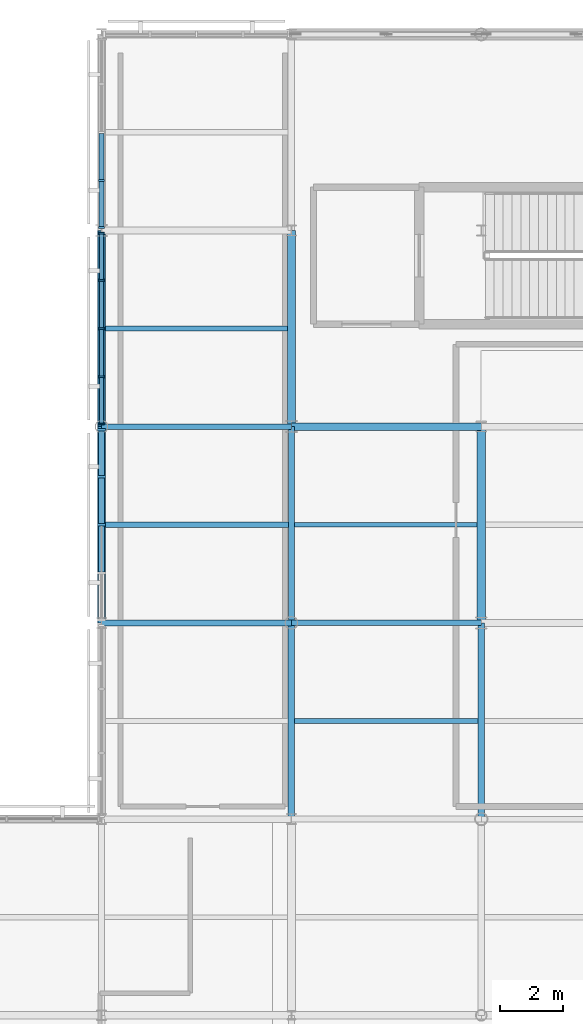
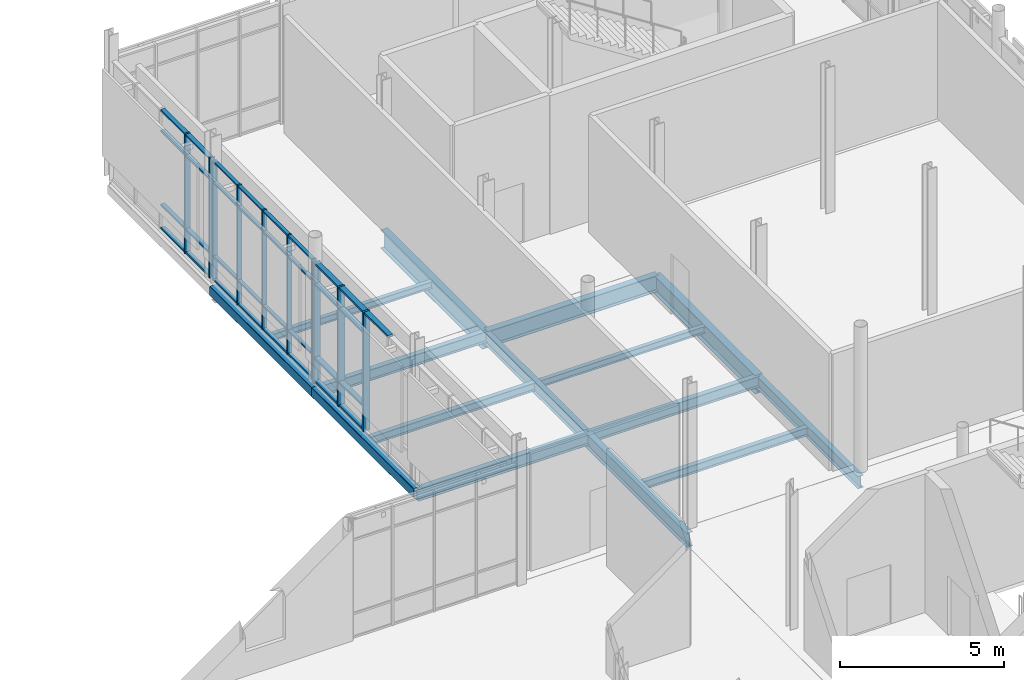
# One storey, part 43 of 105: 43 members, 15 beams, 3 elements without a shape of their own.
"""IFC4 building model written with IfcOpenShell, lengths in metres."""

from ifc_helpers import new_model, si_unit, direction, frame, origin, origin_2d, place, context, subcontext, project, spatial, rectangle, hollow_rectangle, i_section, extrude, material, layer, layer_set, material_profile, profile_set, type_object, element, aggregate, save


model = new_model("IFC4")

# Units and contexts
model_context = context("Model", 3, precision=1e-05, world=origin(), true_north=direction((0.0, 1.0)))
body_context = subcontext(model_context, "Body", "Model", "MODEL_VIEW")
ifc_project = project(units=[si_unit("LENGTHUNIT", "METRE"), si_unit("AREAUNIT", "SQUARE_METRE"), si_unit("VOLUMEUNIT", "CUBIC_METRE"), si_unit("PLANEANGLEUNIT", "RADIAN"), si_unit("MASSUNIT", "GRAM", prefix="KILO")], contexts=[model_context])

# Site, building, storey
site_placement = place(None, origin())
site = spatial("IfcSite", under=ifc_project, at=site_placement, CompositionType="ELEMENT")
building_placement = place(site_placement, origin())
building = spatial("IfcBuilding", under=site, at=building_placement, Name="Mirzam Square Science Centre", CompositionType="ELEMENT")
storey_placement = place(building_placement, frame((0.0, 0.0, 5.39990234375)))
storey = spatial("IfcBuildingStorey", under=building, at=storey_placement, Name="L01", CompositionType="ELEMENT", Elevation=5.39990234375)

# Beams
ifc_material_1 = material(Name="Steel S355", Category="steel")
ifc_material_profile_1 = material_profile(ifc_material_1, i_section(OverallWidth=0.1787109375, OverallDepth=0.409423828125, WebThickness=0.0087890625, FlangeThickness=0.014404296875, FilletRadius=0.01025390625, at=origin_2d()), Name="406x178x67UB")
ifc_profile_set_1 = profile_set([ifc_material_profile_1], Name="Steel S355")
beam_type_1 = type_object("IfcBeamType", Name="BM-UB406", PredefinedType="BEAM", material=ifc_profile_set_1)
for number, where, z_axis, x_axis, name in (
    (1, (120.0, 93.0, -0.45458984375), (1.0, 0.0, 0.0), (0.0, 1.0, 0.0), "L01 girder X21-16"),
    (2, (114.0, 99.199951171875, -0.45458984375), (1.0, 0.0, 0.0), (0.0, 1.0, 0.0), "L01 girder X20-17"),
):
    element("IfcBeam", number, at=place(storey_placement, frame(where, z_axis=z_axis, x_axis=x_axis)), inside=storey, type_object=beam_type_1, Name=name, PredefinedType="BEAM", context=body_context, shape_type="SweptSolid", body=[
        extrude(i_section(OverallWidth=0.1787109375, OverallDepth=0.409423828125, WebThickness=0.0087890625, FlangeThickness=0.014404296875, FilletRadius=0.01025390625, at=origin_2d()), origin(), (0.0, 0.0, 1.0), 6.0),
    ])
ifc_material_profile_2 = material_profile(ifc_material_1, i_section(OverallWidth=0.19140625, OverallDepth=0.4599609375, WebThickness=0.010009765625, FlangeThickness=0.01611328125, FilletRadius=0.01025390625, at=origin_2d()), Name="457x191x82UB")
ifc_profile_set_2 = profile_set([ifc_material_profile_2], Name="Steel S355")
beam_type_2 = type_object("IfcBeamType", Name="BM-UB457", PredefinedType="BEAM", material=ifc_profile_set_2)
beam_1_placement = place(storey_placement, frame((114.0, 93.0, -0.47998046875), z_axis=(1.0, 0.0, 0.0), x_axis=(0.0, 1.0, 0.0)))
element("IfcBeam", 3, at=beam_1_placement, inside=storey, type_object=beam_type_2, Name="L01 girder X20-16", PredefinedType="BEAM", context=body_context, shape_type="SweptSolid", body=[
    extrude(i_section(OverallWidth=0.19140625, OverallDepth=0.4599609375, WebThickness=0.010009765625, FlangeThickness=0.01611328125, FilletRadius=0.01025390625, at=origin_2d()), origin(), (0.0, 0.0, 1.0), 6.0),
])
for number, where, z_axis, x_axis, name in (
    (4, (120.0, 93.0, -0.47998046875), (0.0, 1.0, 0.0), (-1.0, 0.0, 0.0), "L01 girder Y21-16"),
    (5, (126.0, 86.800048828125, -0.47998046875), (0.0, 1.0, 0.0), (-1.0, 0.0, 0.0), "L01 girder Y22-15"),
):
    element("IfcBeam", number, at=place(storey_placement, frame(where, z_axis=z_axis, x_axis=x_axis)), inside=storey, type_object=beam_type_2, Name=name, PredefinedType="BEAM", context=body_context, shape_type="SweptSolid", body=[
        extrude(i_section(OverallWidth=0.19140625, OverallDepth=0.4599609375, WebThickness=0.010009765625, FlangeThickness=0.01611328125, FilletRadius=0.01025390625, at=origin_2d()), origin(), (0.0, 0.0, 1.0), 6.199951171875),
    ])
ifc_material_profile_3 = material_profile(ifc_material_1, i_section(OverallWidth=0.2099609375, OverallDepth=0.53662109375, WebThickness=0.0107421875, FlangeThickness=0.017333984375, FilletRadius=0.0126953125, at=origin_2d()), Name="533x210x101UB")
ifc_profile_set_3 = profile_set([ifc_material_profile_3], Name="Steel S355")
beam_type_3 = type_object("IfcBeamType", Name="BM-UB533", PredefinedType="BEAM", material=ifc_profile_set_3)
beam_2_placement = place(storey_placement, frame((120.0, 86.800048828125, -0.518310546875), z_axis=(0.0, 1.0, 0.0), x_axis=(-1.0, 0.0, 0.0)))
element("IfcBeam", 6, at=beam_2_placement, inside=storey, type_object=beam_type_3, Name="L01 girder Y21-15", PredefinedType="BEAM", context=body_context, shape_type="SweptSolid", body=[
    extrude(i_section(OverallWidth=0.2099609375, OverallDepth=0.53662109375, WebThickness=0.0107421875, FlangeThickness=0.017333984375, FilletRadius=0.0126953125, at=origin_2d()), origin(), (0.0, 0.0, 1.0), 6.199951171875),
])
ifc_material_profile_4 = material_profile(ifc_material_1, i_section(OverallWidth=0.22900390625, OverallDepth=0.6123046875, WebThickness=0.011962890625, FlangeThickness=0.01953125, FilletRadius=0.0126953125, at=origin_2d()), Name="610x229x125UB")
ifc_profile_set_4 = profile_set([ifc_material_profile_4], Name="Steel S355")
beam_type_4 = type_object("IfcBeamType", Name="BM-UB610", PredefinedType="BEAM", material=ifc_profile_set_4)
beam_3_placement = place(storey_placement, frame((120.0, 99.199951171875, -0.555908203125), z_axis=(1.0, 0.0, 0.0), x_axis=(0.0, 1.0, 0.0)))
element("IfcBeam", 7, at=beam_3_placement, inside=storey, type_object=beam_type_4, Name="L01 girder X21-17", PredefinedType="BEAM", context=body_context, shape_type="SweptSolid", body=[
    extrude(i_section(OverallWidth=0.22900390625, OverallDepth=0.6123046875, WebThickness=0.011962890625, FlangeThickness=0.01953125, FilletRadius=0.0126953125, at=origin_2d()), origin(), (0.0, 0.0, 1.0), 6.0),
])
ifc_material_profile_5 = material_profile(ifc_material_1, i_section(OverallWidth=0.25439453125, OverallDepth=0.6875, WebThickness=0.01318359375, FlangeThickness=0.02099609375, FilletRadius=0.01513671875, at=origin_2d()), Name="686x254x152UB")
ifc_profile_set_5 = profile_set([ifc_material_profile_5], Name="Steel S355")
beam_type_5 = type_object("IfcBeamType", Name="BM-UB686", PredefinedType="BEAM", material=ifc_profile_set_5)
for number, where, z_axis, x_axis, name in (
    (8, (120.0, 99.199951171875, -0.593505859375), (0.0, 1.0, 0.0), (-1.0, 0.0, 0.0), "L01 girder Y21-17"),
    (9, (126.0, 93.0, -0.593505859375), (0.0, 1.0, 0.0), (-1.0, 0.0, 0.0), "L01 girder Y22-16"),
):
    element("IfcBeam", number, at=place(storey_placement, frame(where, z_axis=z_axis, x_axis=x_axis)), inside=storey, type_object=beam_type_5, Name=name, PredefinedType="BEAM", context=body_context, shape_type="SweptSolid", body=[
        extrude(i_section(OverallWidth=0.25439453125, OverallDepth=0.6875, WebThickness=0.01318359375, FlangeThickness=0.02099609375, FilletRadius=0.01513671875, at=origin_2d()), origin(), (0.0, 0.0, 1.0), 6.199951171875),
    ])

# Curtain wall, members
ifc_material_2 = material(Name="Anodised Aluminium and Low-E Solar Glass", Category="aluminium")
ifc_layer_1 = layer(ifc_material_2, 0.159912109375)
ifc_layer_set_1 = layer_set([ifc_layer_1], Name="CW-COURT-B")
curtain_wall_type_1 = type_object("IfcCurtainWallType", Name="CW-COURT-B", PredefinedType="USERDEFINED", material=ifc_layer_set_1)
curtain_wall_1_placement = place(storey_placement, origin())
curtain_wall_1 = element("IfcCurtainWall", 10, at=curtain_wall_1_placement, inside=storey, type_object=curtain_wall_type_1, Name="L01 unitised curtain wall 96", ObjectType="UNITISED CURTAIN WALL", PredefinedType="USERDEFINED")
ifc_material_3 = material(Name="Anodised Architectural Aluminium 6063-T6", Category="aluminium")
ifc_material_profile_6 = material_profile(ifc_material_3, rectangle(XDim=0.06005859375, YDim=0.159912109375, at=origin_2d()), Name="ALU-MULL-160x60x4")
ifc_profile_set_6 = profile_set([ifc_material_profile_6], Name="Anodised Architectural Aluminium 6063-T6")
member_type_1 = type_object("IfcMemberType", Name="CWM-160", PredefinedType="MULLION", material=ifc_profile_set_6)
member_1_placement = place(storey_placement, frame((114.0, 105.31494140625, 0.0), z_axis=(0.0, 0.0, 1.0), x_axis=(0.0, -1.0, 0.0)))
member_1 = element("IfcMember", 11, at=member_1_placement, type_object=member_type_1, Name="CW-04 mullion 1", PredefinedType="MULLION", context=body_context, shape_type="SweptSolid", body=[
    extrude(rectangle(XDim=0.06005859375, YDim=0.159912109375, at=origin_2d()), origin(), (0.0, 0.0, 1.0), 4.440185546875),
])
member_2_placement = place(storey_placement, frame((114.0, 103.822509765625, 0.0), z_axis=(0.0, 0.0, 1.0), x_axis=(0.0, -1.0, 0.0)))
member_2 = element("IfcMember", 12, at=member_2_placement, type_object=member_type_1, Name="CW-04 mullion 2", PredefinedType="MULLION", context=body_context, shape_type="SweptSolid", body=[
    extrude(rectangle(XDim=0.06005859375, YDim=0.159912109375, at=origin_2d()), origin(), (0.0, 0.0, 1.0), 4.440185546875),
])
member_3_placement = place(storey_placement, frame((114.0, 102.300048828125, 0.0), z_axis=(0.0, 0.0, 1.0), x_axis=(0.0, -1.0, 0.0)))
member_3 = element("IfcMember", 13, at=member_3_placement, type_object=member_type_1, Name="CW-04 mullion 3", PredefinedType="MULLION", context=body_context, shape_type="SweptSolid", body=[
    extrude(rectangle(XDim=0.06005859375, YDim=0.159912109375, at=origin_2d()), origin(), (0.0, 0.0, 1.0), 4.440185546875),
])
member_4_placement = place(storey_placement, frame((114.0, 100.777587890625, 0.0), z_axis=(0.0, 0.0, 1.0), x_axis=(0.0, -1.0, 0.0)))
member_4 = element("IfcMember", 14, at=member_4_placement, type_object=member_type_1, Name="CW-04 mullion 4", PredefinedType="MULLION", context=body_context, shape_type="SweptSolid", body=[
    extrude(rectangle(XDim=0.06005859375, YDim=0.159912109375, at=origin_2d()), origin(), (0.0, 0.0, 1.0), 4.440185546875),
])
member_5_placement = place(storey_placement, frame((114.0, 99.284912109375, 0.0), z_axis=(0.0, 0.0, 1.0), x_axis=(0.0, -1.0, 0.0)))
member_5 = element("IfcMember", 15, at=member_5_placement, type_object=member_type_1, Name="CW-04 mullion 5", PredefinedType="MULLION", context=body_context, shape_type="SweptSolid", body=[
    extrude(rectangle(XDim=0.06005859375, YDim=0.159912109375, at=origin_2d()), origin(), (0.0, 0.0, 1.0), 4.440185546875),
])

ifc_layer_2 = layer(ifc_material_2, 0.199951171875)
ifc_layer_set_2 = layer_set([ifc_layer_2], Name="CW-EAST-A")
curtain_wall_type_2 = type_object("IfcCurtainWallType", Name="CW-EAST-A", PredefinedType="USERDEFINED", material=ifc_layer_set_2)
curtain_wall_2_placement = place(storey_placement, origin())
curtain_wall_2 = element("IfcCurtainWall", 16, at=curtain_wall_2_placement, inside=storey, type_object=curtain_wall_type_2, Name="L01 unitised curtain wall 98", ObjectType="UNITISED CURTAIN WALL", PredefinedType="USERDEFINED")
ifc_material_profile_7 = material_profile(ifc_material_3, rectangle(XDim=0.06494140625, YDim=0.199951171875, at=origin_2d()), Name="ALU-MULL-200x65x5")
ifc_profile_set_7 = profile_set([ifc_material_profile_7], Name="Anodised Architectural Aluminium 6063-T6")
member_type_2 = type_object("IfcMemberType", Name="CWM-200", PredefinedType="MULLION", material=ifc_profile_set_7)
member_6_placement = place(storey_placement, frame((114.0, 106.9775390625, 0.0), z_axis=(0.0, 0.0, 1.0), x_axis=(0.0, -1.0, 0.0)))
member_6 = element("IfcMember", 17, at=member_6_placement, type_object=member_type_2, Name="CW-05 mullion 4", PredefinedType="MULLION", context=body_context, shape_type="SweptSolid", body=[
    extrude(rectangle(XDim=0.06494140625, YDim=0.199951171875, at=origin_2d()), origin(), (0.0, 0.0, 1.0), 4.440185546875),
])
member_7_placement = place(storey_placement, frame((114.0, 105.487548828125, 0.0), z_axis=(0.0, 0.0, 1.0), x_axis=(0.0, -1.0, 0.0)))
member_7 = element("IfcMember", 18, at=member_7_placement, type_object=member_type_2, Name="CW-05 mullion 5", PredefinedType="MULLION", context=body_context, shape_type="SweptSolid", body=[
    extrude(rectangle(XDim=0.06494140625, YDim=0.199951171875, at=origin_2d()), origin(), (0.0, 0.0, 1.0), 4.440185546875),
])

ifc_layer_3 = layer(ifc_material_2, 0.159912109375)
ifc_layer_set_3 = layer_set([ifc_layer_3], Name="CW-COURT-A")
curtain_wall_type_3 = type_object("IfcCurtainWallType", Name="CW-COURT-A", PredefinedType="USERDEFINED", material=ifc_layer_set_3)
curtain_wall_3_placement = place(storey_placement, origin())
curtain_wall_3 = element("IfcCurtainWall", 19, at=curtain_wall_3_placement, inside=storey, type_object=curtain_wall_type_3, Name="L01 unitised curtain wall 94", ObjectType="UNITISED CURTAIN WALL", PredefinedType="USERDEFINED")
ifc_material_profile_8 = material_profile(ifc_material_3, rectangle(XDim=0.074951171875, YDim=0.239990234375, at=origin_2d()), Name="ALU-MULL-240x75x5")
ifc_profile_set_8 = profile_set([ifc_material_profile_8], Name="Anodised Architectural Aluminium 6063-T6")
member_type_3 = type_object("IfcMemberType", Name="CWM-240", PredefinedType="MULLION", material=ifc_profile_set_8)
member_8_placement = place(storey_placement, frame((114.0, 99.107421875, 0.0), z_axis=(0.0, 0.0, 1.0), x_axis=(0.0, -1.0, 0.0)))
member_8 = element("IfcMember", 20, at=member_8_placement, type_object=member_type_3, Name="CW-03 mullion 1", PredefinedType="MULLION", context=body_context, shape_type="SweptSolid", body=[
    extrude(rectangle(XDim=0.074951171875, YDim=0.239990234375, at=origin_2d()), origin(), (0.0, 0.0, 1.0), 4.440185546875),
])
member_9_placement = place(storey_placement, frame((114.0, 97.62255859375, 0.0), z_axis=(0.0, 0.0, 1.0), x_axis=(0.0, -1.0, 0.0)))
member_9 = element("IfcMember", 21, at=member_9_placement, type_object=member_type_3, Name="CW-03 mullion 2", PredefinedType="MULLION", context=body_context, shape_type="SweptSolid", body=[
    extrude(rectangle(XDim=0.074951171875, YDim=0.239990234375, at=origin_2d()), origin(), (0.0, 0.0, 1.0), 4.440185546875),
])
member_10_placement = place(storey_placement, frame((114.0, 96.10009765625, 0.0), z_axis=(0.0, 0.0, 1.0), x_axis=(0.0, -1.0, 0.0)))
member_10 = element("IfcMember", 22, at=member_10_placement, type_object=member_type_3, Name="CW-03 mullion 3", PredefinedType="MULLION", context=body_context, shape_type="SweptSolid", body=[
    extrude(rectangle(XDim=0.074951171875, YDim=0.239990234375, at=origin_2d()), origin(), (0.0, 0.0, 1.0), 4.440185546875),
])

# Member
ifc_material_profile_9 = material_profile(ifc_material_3, rectangle(XDim=0.1201171875, YDim=0.06005859375, at=origin_2d()), Name="ALU-TRAN-120x60x4")
ifc_profile_set_9 = profile_set([ifc_material_profile_9], Name="Anodised Architectural Aluminium 6063-T6")
member_type_4 = type_object("IfcMemberType", Name="CWT-120", PredefinedType="USERDEFINED", material=ifc_profile_set_9)
member_11_placement = place(storey_placement, frame((114.0, 105.284912109375, 0.030029296875), z_axis=(0.0, -1.0, 0.0), x_axis=(1.0, 0.0, 0.0)))
member_11 = element("IfcMember", 23, at=member_11_placement, type_object=member_type_4, Name="CW-04 transom 1.1", ObjectType="TRANSOM", PredefinedType="USERDEFINED", context=body_context, shape_type="SweptSolid", body=[
    extrude(rectangle(XDim=0.1201171875, YDim=0.06005859375, at=origin_2d()), origin(), (0.0, 0.0, 1.0), 1.432373046875),
])

member_12_placement = place(storey_placement, frame((114.0, 105.284912109375, 0.900146484375), z_axis=(0.0, -1.0, 0.0), x_axis=(1.0, 0.0, 0.0)))
member_12 = element("IfcMember", 24, at=member_12_placement, type_object=member_type_4, Name="CW-04 transom 1.2", ObjectType="TRANSOM", PredefinedType="USERDEFINED", context=body_context, shape_type="SweptSolid", body=[
    extrude(rectangle(XDim=0.1201171875, YDim=0.06005859375, at=origin_2d()), origin(), (0.0, 0.0, 1.0), 1.432373046875),
])

member_13_placement = place(storey_placement, frame((114.0, 105.284912109375, 3.64013671875), z_axis=(0.0, -1.0, 0.0), x_axis=(1.0, 0.0, 0.0)))
member_13 = element("IfcMember", 25, at=member_13_placement, type_object=member_type_4, Name="CW-04 transom 1.3", ObjectType="TRANSOM", PredefinedType="USERDEFINED", context=body_context, shape_type="SweptSolid", body=[
    extrude(rectangle(XDim=0.1201171875, YDim=0.06005859375, at=origin_2d()), origin(), (0.0, 0.0, 1.0), 1.432373046875),
])

member_14_placement = place(storey_placement, frame((114.0, 105.284912109375, 4.41015625), z_axis=(0.0, -1.0, 0.0), x_axis=(1.0, 0.0, 0.0)))
member_14 = element("IfcMember", 26, at=member_14_placement, type_object=member_type_4, Name="CW-04 transom 1.4", ObjectType="TRANSOM", PredefinedType="USERDEFINED", context=body_context, shape_type="SweptSolid", body=[
    extrude(rectangle(XDim=0.1201171875, YDim=0.06005859375, at=origin_2d()), origin(), (0.0, 0.0, 1.0), 1.432373046875),
])

member_15_placement = place(storey_placement, frame((114.0, 103.79248046875, 0.030029296875), z_axis=(0.0, -1.0, 0.0), x_axis=(1.0, 0.0, 0.0)))
member_15 = element("IfcMember", 27, at=member_15_placement, type_object=member_type_4, Name="CW-04 transom 2.1", ObjectType="TRANSOM", PredefinedType="USERDEFINED", context=body_context, shape_type="SweptSolid", body=[
    extrude(rectangle(XDim=0.1201171875, YDim=0.06005859375, at=origin_2d()), origin(), (0.0, 0.0, 1.0), 1.46240234375),
])

member_16_placement = place(storey_placement, frame((114.0, 103.79248046875, 0.900146484375), z_axis=(0.0, -1.0, 0.0), x_axis=(1.0, 0.0, 0.0)))
member_16 = element("IfcMember", 28, at=member_16_placement, type_object=member_type_4, Name="CW-04 transom 2.2", ObjectType="TRANSOM", PredefinedType="USERDEFINED", context=body_context, shape_type="SweptSolid", body=[
    extrude(rectangle(XDim=0.1201171875, YDim=0.06005859375, at=origin_2d()), origin(), (0.0, 0.0, 1.0), 1.46240234375),
])

member_17_placement = place(storey_placement, frame((114.0, 103.79248046875, 3.64013671875), z_axis=(0.0, -1.0, 0.0), x_axis=(1.0, 0.0, 0.0)))
member_17 = element("IfcMember", 29, at=member_17_placement, type_object=member_type_4, Name="CW-04 transom 2.3", ObjectType="TRANSOM", PredefinedType="USERDEFINED", context=body_context, shape_type="SweptSolid", body=[
    extrude(rectangle(XDim=0.1201171875, YDim=0.06005859375, at=origin_2d()), origin(), (0.0, 0.0, 1.0), 1.46240234375),
])

member_18_placement = place(storey_placement, frame((114.0, 103.79248046875, 4.41015625), z_axis=(0.0, -1.0, 0.0), x_axis=(1.0, 0.0, 0.0)))
member_18 = element("IfcMember", 30, at=member_18_placement, type_object=member_type_4, Name="CW-04 transom 2.4", ObjectType="TRANSOM", PredefinedType="USERDEFINED", context=body_context, shape_type="SweptSolid", body=[
    extrude(rectangle(XDim=0.1201171875, YDim=0.06005859375, at=origin_2d()), origin(), (0.0, 0.0, 1.0), 1.46240234375),
])

member_19_placement = place(storey_placement, frame((114.0, 102.27001953125, 0.030029296875), z_axis=(0.0, -1.0, 0.0), x_axis=(1.0, 0.0, 0.0)))
member_19 = element("IfcMember", 31, at=member_19_placement, type_object=member_type_4, Name="CW-04 transom 3.1", ObjectType="TRANSOM", PredefinedType="USERDEFINED", context=body_context, shape_type="SweptSolid", body=[
    extrude(rectangle(XDim=0.1201171875, YDim=0.06005859375, at=origin_2d()), origin(), (0.0, 0.0, 1.0), 1.46240234375),
])

member_20_placement = place(storey_placement, frame((114.0, 102.27001953125, 0.900146484375), z_axis=(0.0, -1.0, 0.0), x_axis=(1.0, 0.0, 0.0)))
member_20 = element("IfcMember", 32, at=member_20_placement, type_object=member_type_4, Name="CW-04 transom 3.2", ObjectType="TRANSOM", PredefinedType="USERDEFINED", context=body_context, shape_type="SweptSolid", body=[
    extrude(rectangle(XDim=0.1201171875, YDim=0.06005859375, at=origin_2d()), origin(), (0.0, 0.0, 1.0), 1.46240234375),
])

member_21_placement = place(storey_placement, frame((114.0, 102.27001953125, 3.64013671875), z_axis=(0.0, -1.0, 0.0), x_axis=(1.0, 0.0, 0.0)))
member_21 = element("IfcMember", 33, at=member_21_placement, type_object=member_type_4, Name="CW-04 transom 3.3", ObjectType="TRANSOM", PredefinedType="USERDEFINED", context=body_context, shape_type="SweptSolid", body=[
    extrude(rectangle(XDim=0.1201171875, YDim=0.06005859375, at=origin_2d()), origin(), (0.0, 0.0, 1.0), 1.46240234375),
])

member_22_placement = place(storey_placement, frame((114.0, 102.27001953125, 4.41015625), z_axis=(0.0, -1.0, 0.0), x_axis=(1.0, 0.0, 0.0)))
member_22 = element("IfcMember", 34, at=member_22_placement, type_object=member_type_4, Name="CW-04 transom 3.4", ObjectType="TRANSOM", PredefinedType="USERDEFINED", context=body_context, shape_type="SweptSolid", body=[
    extrude(rectangle(XDim=0.1201171875, YDim=0.06005859375, at=origin_2d()), origin(), (0.0, 0.0, 1.0), 1.46240234375),
])

member_23_placement = place(storey_placement, frame((114.0, 100.74755859375, 0.030029296875), z_axis=(0.0, -1.0, 0.0), x_axis=(1.0, 0.0, 0.0)))
member_23 = element("IfcMember", 35, at=member_23_placement, type_object=member_type_4, Name="CW-04 transom 4.1", ObjectType="TRANSOM", PredefinedType="USERDEFINED", context=body_context, shape_type="SweptSolid", body=[
    extrude(rectangle(XDim=0.1201171875, YDim=0.06005859375, at=origin_2d()), origin(), (0.0, 0.0, 1.0), 1.4326171875),
])

member_24_placement = place(storey_placement, frame((114.0, 100.74755859375, 0.900146484375), z_axis=(0.0, -1.0, 0.0), x_axis=(1.0, 0.0, 0.0)))
member_24 = element("IfcMember", 36, at=member_24_placement, type_object=member_type_4, Name="CW-04 transom 4.2", ObjectType="TRANSOM", PredefinedType="USERDEFINED", context=body_context, shape_type="SweptSolid", body=[
    extrude(rectangle(XDim=0.1201171875, YDim=0.06005859375, at=origin_2d()), origin(), (0.0, 0.0, 1.0), 1.4326171875),
])

member_25_placement = place(storey_placement, frame((114.0, 100.74755859375, 3.64013671875), z_axis=(0.0, -1.0, 0.0), x_axis=(1.0, 0.0, 0.0)))
member_25 = element("IfcMember", 37, at=member_25_placement, type_object=member_type_4, Name="CW-04 transom 4.3", ObjectType="TRANSOM", PredefinedType="USERDEFINED", context=body_context, shape_type="SweptSolid", body=[
    extrude(rectangle(XDim=0.1201171875, YDim=0.06005859375, at=origin_2d()), origin(), (0.0, 0.0, 1.0), 1.4326171875),
])

member_26_placement = place(storey_placement, frame((114.0, 100.74755859375, 4.41015625), z_axis=(0.0, -1.0, 0.0), x_axis=(1.0, 0.0, 0.0)))
member_26 = element("IfcMember", 38, at=member_26_placement, type_object=member_type_4, Name="CW-04 transom 4.4", ObjectType="TRANSOM", PredefinedType="USERDEFINED", context=body_context, shape_type="SweptSolid", body=[
    extrude(rectangle(XDim=0.1201171875, YDim=0.06005859375, at=origin_2d()), origin(), (0.0, 0.0, 1.0), 1.4326171875),
])

aggregate(curtain_wall_1, [member_1, member_2, member_3, member_4, member_5, member_11, member_12, member_13, member_14, member_15, member_16, member_17, member_18, member_19, member_20, member_21, member_22, member_23, member_24, member_25, member_26])

ifc_material_profile_10 = material_profile(ifc_material_3, rectangle(XDim=0.14990234375, YDim=0.06494140625, at=origin_2d()), Name="ALU-TRAN-150x65x4")
ifc_profile_set_10 = profile_set([ifc_material_profile_10], Name="Anodised Architectural Aluminium 6063-T6")
member_type_5 = type_object("IfcMemberType", Name="CWT-150", PredefinedType="USERDEFINED", material=ifc_profile_set_10)
member_27_placement = place(storey_placement, frame((114.0, 108.467529296875, 0.03271484375), z_axis=(0.0, -1.0, 0.0), x_axis=(1.0, 0.0, 0.0)))
member_27 = element("IfcMember", 39, at=member_27_placement, type_object=member_type_5, Name="CW-05 transom 3.1", ObjectType="TRANSOM", PredefinedType="USERDEFINED", context=body_context, shape_type="SweptSolid", body=[
    extrude(rectangle(XDim=0.14990234375, YDim=0.06494140625, at=origin_2d()), origin(), (0.0, 0.0, 1.0), 1.45751953125),
])

member_28_placement = place(storey_placement, frame((114.0, 108.467529296875, 0.900146484375), z_axis=(0.0, -1.0, 0.0), x_axis=(1.0, 0.0, 0.0)))
member_28 = element("IfcMember", 40, at=member_28_placement, type_object=member_type_5, Name="CW-05 transom 3.2", ObjectType="TRANSOM", PredefinedType="USERDEFINED", context=body_context, shape_type="SweptSolid", body=[
    extrude(rectangle(XDim=0.14990234375, YDim=0.06494140625, at=origin_2d()), origin(), (0.0, 0.0, 1.0), 1.45751953125),
])

member_29_placement = place(storey_placement, frame((114.0, 108.467529296875, 3.64013671875), z_axis=(0.0, -1.0, 0.0), x_axis=(1.0, 0.0, 0.0)))
member_29 = element("IfcMember", 41, at=member_29_placement, type_object=member_type_5, Name="CW-05 transom 3.3", ObjectType="TRANSOM", PredefinedType="USERDEFINED", context=body_context, shape_type="SweptSolid", body=[
    extrude(rectangle(XDim=0.14990234375, YDim=0.06494140625, at=origin_2d()), origin(), (0.0, 0.0, 1.0), 1.45751953125),
])

member_30_placement = place(storey_placement, frame((114.0, 108.467529296875, 4.40771484375), z_axis=(0.0, -1.0, 0.0), x_axis=(1.0, 0.0, 0.0)))
member_30 = element("IfcMember", 42, at=member_30_placement, type_object=member_type_5, Name="CW-05 transom 3.4", ObjectType="TRANSOM", PredefinedType="USERDEFINED", context=body_context, shape_type="SweptSolid", body=[
    extrude(rectangle(XDim=0.14990234375, YDim=0.06494140625, at=origin_2d()), origin(), (0.0, 0.0, 1.0), 1.45751953125),
])

member_31_placement = place(storey_placement, frame((114.0, 106.945068359375, 0.03271484375), z_axis=(0.0, -1.0, 0.0), x_axis=(1.0, 0.0, 0.0)))
member_31 = element("IfcMember", 43, at=member_31_placement, type_object=member_type_5, Name="CW-05 transom 4.1", ObjectType="TRANSOM", PredefinedType="USERDEFINED", context=body_context, shape_type="SweptSolid", body=[
    extrude(rectangle(XDim=0.14990234375, YDim=0.06494140625, at=origin_2d()), origin(), (0.0, 0.0, 1.0), 1.425048828125),
])

member_32_placement = place(storey_placement, frame((114.0, 106.945068359375, 0.900146484375), z_axis=(0.0, -1.0, 0.0), x_axis=(1.0, 0.0, 0.0)))
member_32 = element("IfcMember", 44, at=member_32_placement, type_object=member_type_5, Name="CW-05 transom 4.2", ObjectType="TRANSOM", PredefinedType="USERDEFINED", context=body_context, shape_type="SweptSolid", body=[
    extrude(rectangle(XDim=0.14990234375, YDim=0.06494140625, at=origin_2d()), origin(), (0.0, 0.0, 1.0), 1.425048828125),
])

member_33_placement = place(storey_placement, frame((114.0, 106.945068359375, 3.64013671875), z_axis=(0.0, -1.0, 0.0), x_axis=(1.0, 0.0, 0.0)))
member_33 = element("IfcMember", 45, at=member_33_placement, type_object=member_type_5, Name="CW-05 transom 4.3", ObjectType="TRANSOM", PredefinedType="USERDEFINED", context=body_context, shape_type="SweptSolid", body=[
    extrude(rectangle(XDim=0.14990234375, YDim=0.06494140625, at=origin_2d()), origin(), (0.0, 0.0, 1.0), 1.425048828125),
])

member_34_placement = place(storey_placement, frame((114.0, 106.945068359375, 4.40771484375), z_axis=(0.0, -1.0, 0.0), x_axis=(1.0, 0.0, 0.0)))
member_34 = element("IfcMember", 46, at=member_34_placement, type_object=member_type_5, Name="CW-05 transom 4.4", ObjectType="TRANSOM", PredefinedType="USERDEFINED", context=body_context, shape_type="SweptSolid", body=[
    extrude(rectangle(XDim=0.14990234375, YDim=0.06494140625, at=origin_2d()), origin(), (0.0, 0.0, 1.0), 1.425048828125),
])

aggregate(curtain_wall_2, [member_6, member_7, member_27, member_28, member_29, member_30, member_31, member_32, member_33, member_34])

ifc_material_profile_11 = material_profile(ifc_material_3, rectangle(XDim=0.179931640625, YDim=0.074951171875, at=origin_2d()), Name="ALU-TRAN-180x75x5")
ifc_profile_set_11 = profile_set([ifc_material_profile_11], Name="Anodised Architectural Aluminium 6063-T6")
member_type_6 = type_object("IfcMemberType", Name="CWT-180", PredefinedType="USERDEFINED", material=ifc_profile_set_11)
member_35_placement = place(storey_placement, frame((114.0, 99.070068359375, 0.03759765625), z_axis=(0.0, -1.0, 0.0), x_axis=(1.0, 0.0, 0.0)))
member_35 = element("IfcMember", 47, at=member_35_placement, type_object=member_type_6, Name="CW-03 transom 1.1", ObjectType="TRANSOM", PredefinedType="USERDEFINED", context=body_context, shape_type="SweptSolid", body=[
    extrude(rectangle(XDim=0.179931640625, YDim=0.074951171875, at=origin_2d()), origin(), (0.0, 0.0, 1.0), 1.41015625),
])

member_36_placement = place(storey_placement, frame((114.0, 99.070068359375, 0.900146484375), z_axis=(0.0, -1.0, 0.0), x_axis=(1.0, 0.0, 0.0)))
member_36 = element("IfcMember", 48, at=member_36_placement, type_object=member_type_6, Name="CW-03 transom 1.2", ObjectType="TRANSOM", PredefinedType="USERDEFINED", context=body_context, shape_type="SweptSolid", body=[
    extrude(rectangle(XDim=0.179931640625, YDim=0.074951171875, at=origin_2d()), origin(), (0.0, 0.0, 1.0), 1.41015625),
])

member_37_placement = place(storey_placement, frame((114.0, 99.070068359375, 3.64013671875), z_axis=(0.0, -1.0, 0.0), x_axis=(1.0, 0.0, 0.0)))
member_37 = element("IfcMember", 49, at=member_37_placement, type_object=member_type_6, Name="CW-03 transom 1.3", ObjectType="TRANSOM", PredefinedType="USERDEFINED", context=body_context, shape_type="SweptSolid", body=[
    extrude(rectangle(XDim=0.179931640625, YDim=0.074951171875, at=origin_2d()), origin(), (0.0, 0.0, 1.0), 1.41015625),
])

member_38_placement = place(storey_placement, frame((114.0, 99.070068359375, 4.402587890625), z_axis=(0.0, -1.0, 0.0), x_axis=(1.0, 0.0, 0.0)))
member_38 = element("IfcMember", 50, at=member_38_placement, type_object=member_type_6, Name="CW-03 transom 1.4", ObjectType="TRANSOM", PredefinedType="USERDEFINED", context=body_context, shape_type="SweptSolid", body=[
    extrude(rectangle(XDim=0.179931640625, YDim=0.074951171875, at=origin_2d()), origin(), (0.0, 0.0, 1.0), 1.41015625),
])

member_39_placement = place(storey_placement, frame((114.0, 97.5849609375, 0.03759765625), z_axis=(0.0, -1.0, 0.0), x_axis=(1.0, 0.0, 0.0)))
member_39 = element("IfcMember", 51, at=member_39_placement, type_object=member_type_6, Name="CW-03 transom 2.1", ObjectType="TRANSOM", PredefinedType="USERDEFINED", context=body_context, shape_type="SweptSolid", body=[
    extrude(rectangle(XDim=0.179931640625, YDim=0.074951171875, at=origin_2d()), origin(), (0.0, 0.0, 1.0), 1.447509765625),
])

member_40_placement = place(storey_placement, frame((114.0, 97.5849609375, 0.900146484375), z_axis=(0.0, -1.0, 0.0), x_axis=(1.0, 0.0, 0.0)))
member_40 = element("IfcMember", 52, at=member_40_placement, type_object=member_type_6, Name="CW-03 transom 2.2", ObjectType="TRANSOM", PredefinedType="USERDEFINED", context=body_context, shape_type="SweptSolid", body=[
    extrude(rectangle(XDim=0.179931640625, YDim=0.074951171875, at=origin_2d()), origin(), (0.0, 0.0, 1.0), 1.447509765625),
])

member_41_placement = place(storey_placement, frame((114.0, 97.5849609375, 3.64013671875), z_axis=(0.0, -1.0, 0.0), x_axis=(1.0, 0.0, 0.0)))
member_41 = element("IfcMember", 53, at=member_41_placement, type_object=member_type_6, Name="CW-03 transom 2.3", ObjectType="TRANSOM", PredefinedType="USERDEFINED", context=body_context, shape_type="SweptSolid", body=[
    extrude(rectangle(XDim=0.179931640625, YDim=0.074951171875, at=origin_2d()), origin(), (0.0, 0.0, 1.0), 1.447509765625),
])

member_42_placement = place(storey_placement, frame((114.0, 97.5849609375, 4.402587890625), z_axis=(0.0, -1.0, 0.0), x_axis=(1.0, 0.0, 0.0)))
member_42 = element("IfcMember", 54, at=member_42_placement, type_object=member_type_6, Name="CW-03 transom 2.4", ObjectType="TRANSOM", PredefinedType="USERDEFINED", context=body_context, shape_type="SweptSolid", body=[
    extrude(rectangle(XDim=0.179931640625, YDim=0.074951171875, at=origin_2d()), origin(), (0.0, 0.0, 1.0), 1.447509765625),
])

member_43_placement = place(storey_placement, frame((114.0, 96.0625, 4.402587890625), z_axis=(0.0, -1.0, 0.0), x_axis=(1.0, 0.0, 0.0)))
member_43 = element("IfcMember", 55, at=member_43_placement, type_object=member_type_6, Name="CW-03 transom 3.4", ObjectType="TRANSOM", PredefinedType="USERDEFINED", context=body_context, shape_type="SweptSolid", body=[
    extrude(rectangle(XDim=0.179931640625, YDim=0.074951171875, at=origin_2d()), origin(), (0.0, 0.0, 1.0), 1.447509765625),
])

aggregate(curtain_wall_3, [member_8, member_9, member_10, member_35, member_36, member_37, member_38, member_39, member_40, member_41, member_42, member_43])

# Beams
ifc_material_profile_12 = material_profile(ifc_material_1, i_section(OverallWidth=0.146484375, OverallDepth=0.256103515625, WebThickness=0.00634765625, FlangeThickness=0.010986328125, FilletRadius=0.007568359375, at=origin_2d()), Name="254x146x37UB")
ifc_profile_set_12 = profile_set([ifc_material_profile_12], Name="Steel S355")
beam_type_6 = type_object("IfcBeamType", Name="JS-UB254", PredefinedType="JOIST", material=ifc_profile_set_12)
beam_4_placement = place(storey_placement, frame((114.125, 102.300048828125, -0.3779296875), z_axis=(1.0, 0.0, 0.0), x_axis=(0.0, 1.0, 0.0)))
element("IfcBeam", 56, at=beam_4_placement, inside=storey, type_object=beam_type_6, Name="L01 composite joist 20-17", PredefinedType="JOIST", context=body_context, shape_type="SweptSolid", body=[
    extrude(i_section(OverallWidth=0.146484375, OverallDepth=0.256103515625, WebThickness=0.00634765625, FlangeThickness=0.010986328125, FilletRadius=0.007568359375, at=origin_2d()), origin(), (0.0, 0.0, 1.0), 5.747802734375),
])
beam_5_placement = place(storey_placement, frame((120.095703125, 96.10009765625, -0.3779296875), z_axis=(1.0, 0.0, 0.0), x_axis=(0.0, 1.0, 0.0)))
element("IfcBeam", 57, at=beam_5_placement, inside=storey, type_object=beam_type_6, Name="L01 composite joist 21-16", PredefinedType="JOIST", context=body_context, shape_type="SweptSolid", body=[
    extrude(i_section(OverallWidth=0.146484375, OverallDepth=0.256103515625, WebThickness=0.00634765625, FlangeThickness=0.010986328125, FilletRadius=0.007568359375, at=origin_2d()), origin(), (0.0, 0.0, 1.0), 5.777099609375),
])
ifc_material_profile_13 = material_profile(ifc_material_1, i_section(OverallWidth=0.165771484375, OverallDepth=0.306640625, WebThickness=0.006591796875, FlangeThickness=0.01171875, FilletRadius=0.0087890625, at=origin_2d()), Name="305x165x46UB")
ifc_profile_set_13 = profile_set([ifc_material_profile_13], Name="Steel S355")
beam_type_7 = type_object("IfcBeamType", Name="JS-UB305", PredefinedType="JOIST", material=ifc_profile_set_13)
beam_6_placement = place(storey_placement, frame((114.125, 96.10009765625, -0.4033203125), z_axis=(1.0, 0.0, 0.0), x_axis=(0.0, 1.0, 0.0)))
element("IfcBeam", 58, at=beam_6_placement, inside=storey, type_object=beam_type_7, Name="L01 composite joist 20-16", PredefinedType="JOIST", context=body_context, shape_type="SweptSolid", body=[
    extrude(i_section(OverallWidth=0.165771484375, OverallDepth=0.306640625, WebThickness=0.006591796875, FlangeThickness=0.01171875, FilletRadius=0.0087890625, at=origin_2d()), origin(), (0.0, 0.0, 1.0), 5.779296875),
])
beam_7_placement = place(storey_placement, frame((120.10498046875, 89.89990234375, -0.4033203125), z_axis=(1.0, 0.0, 0.0), x_axis=(0.0, 1.0, 0.0)))
element("IfcBeam", 59, at=beam_7_placement, inside=storey, type_object=beam_type_7, Name="L01 composite joist 21-15", PredefinedType="JOIST", context=body_context, shape_type="SweptSolid", body=[
    extrude(i_section(OverallWidth=0.165771484375, OverallDepth=0.306640625, WebThickness=0.006591796875, FlangeThickness=0.01171875, FilletRadius=0.0087890625, at=origin_2d()), origin(), (0.0, 0.0, 1.0), 5.79931640625),
])
ifc_material_profile_14 = material_profile(ifc_material_1, hollow_rectangle(XDim=0.25, YDim=0.35009765625, WallThickness=0.012451171875, InnerFilletRadius=0.012451171875, OuterFilletRadius=0.02490234375, at=origin_2d()), Name="350x250x12.5RHS")
ifc_profile_set_14 = profile_set([ifc_material_profile_14], Name="Steel S355")
beam_type_8 = type_object("IfcBeamType", Name="SP-RHS350", PredefinedType="SPANDREL", material=ifc_profile_set_14)
for number, where, z_axis, x_axis, name in (
    (60, (114.0, 93.0, -0.4248046875), (0.0, 1.0, 0.0), (-1.0, 0.0, 0.0), "L01 girder Y20-16"),
    (61, (114.0, 99.199951171875, -0.4248046875), (0.0, 1.0, 0.0), (-1.0, 0.0, 0.0), "L01 girder Y20-17"),
):
    element("IfcBeam", number, at=place(storey_placement, frame(where, z_axis=z_axis, x_axis=x_axis)), inside=storey, type_object=beam_type_8, Name=name, PredefinedType="SPANDREL", context=body_context, shape_type="SweptSolid", body=[
        extrude(hollow_rectangle(XDim=0.25, YDim=0.35009765625, WallThickness=0.012451171875, InnerFilletRadius=0.012451171875, OuterFilletRadius=0.02490234375, at=origin_2d()), origin(), (0.0, 0.0, 1.0), 6.199951171875),
    ])

save(model, "model.ifc")
